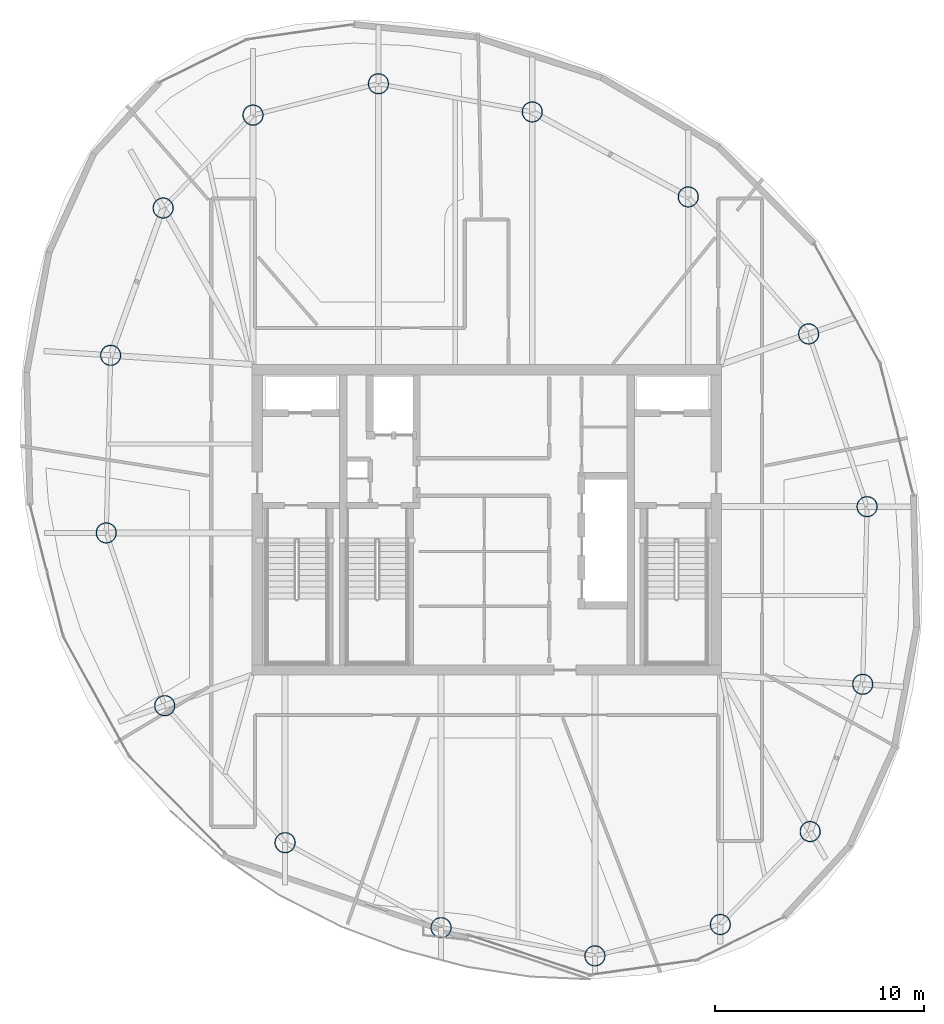
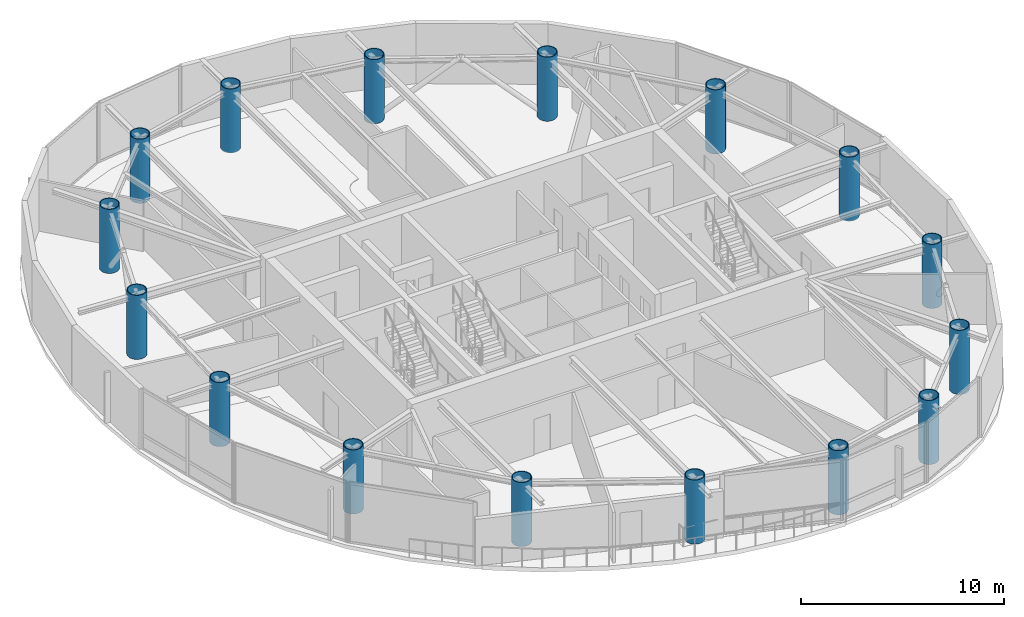
# One storey, part 1 of 20: 16 columns.
"""IFC4 building model written with IfcOpenShell, lengths in metres."""

import ifcopenshell
import ifcopenshell.guid

model = None  # the IFC model being written
_history = None  # IfcOwnerHistory: only IFC2X3 demands one
_inside = {}  # id of a spatial element -> (the spatial element, [elements in it])
_under = {}  # id of a project, library or spatial element -> (it, [spatial elements below it])
_declared = {}  # id of a project -> (the project, [libraries it declares])
_typed = {}  # id of a type object -> (the type object, [elements of that type])
_made_of = {}  # id of a material, layer set ... -> (it, [elements and type objects made of it])


def new_model(schema):
    """Start an empty IFC model of exactly this schema.

    Asked for "IFC4X3", IfcOpenShell would pick the latest addendum, in which some entities
    have other attributes; the version numbers below select the first issue.
    IFC2X3 requires an IfcOwnerHistory on every rooted entity: one is made here for all.
    """
    global model, _history
    if schema == "IFC4X3":
        model = ifcopenshell.file(schema_version=(4, 3, 0, 0))
    else:
        model = ifcopenshell.file(schema=schema)
    _inside.clear()
    _under.clear()
    _declared.clear()
    _typed.clear()
    _made_of.clear()
    _history = None
    if model.schema == "IFC2X3":
        org = make("IfcOrganization", Name="unknown")
        user = make(
            "IfcPersonAndOrganization",
            ThePerson=make("IfcPerson", FamilyName="unknown"),
            TheOrganization=org,
        )
        app = make(
            "IfcApplication",
            ApplicationDeveloper=org,
            Version="unknown",
            ApplicationFullName="unknown",
            ApplicationIdentifier="unknown",
        )
        _history = make(
            "IfcOwnerHistory",
            OwningUser=user,
            OwningApplication=app,
            ChangeAction="ADDED",
            CreationDate=0,
        )
    return model


def make(cls, **values):
    """One entity of the class cls with the attributes given. An attribute that is None is left unset."""
    return model.create_entity(
        cls, **{name: value for name, value in values.items() if value is not None}
    )


def rooted(cls, **values):
    """An entity with a GlobalId (a new one), such as an element, a storey or a relation."""
    return make(cls, GlobalId=ifcopenshell.guid.new(), OwnerHistory=_history, **values)


def si_unit(unit_type, name, prefix=None):
    """IfcSIUnit, for example si_unit("LENGTHUNIT", "METRE", prefix="MILLI")."""
    return make("IfcSIUnit", UnitType=unit_type, Prefix=prefix, Name=name)


def assignment(units):
    """IfcUnitAssignment: the units of a project."""
    return None if units is None else make("IfcUnitAssignment", Units=units)


def point(xyz):
    """IfcCartesianPoint."""
    return None if xyz is None else make("IfcCartesianPoint", Coordinates=xyz)


def direction(xyz):
    """IfcDirection."""
    return None if xyz is None else make("IfcDirection", DirectionRatios=xyz)


def frame(location, z_axis=None, x_axis=None):
    """IfcAxis2Placement3D, a coordinate frame: its origin and axes. An axis left out is left unset."""
    return make(
        "IfcAxis2Placement3D",
        Location=point(location),
        Axis=direction(z_axis),
        RefDirection=direction(x_axis),
    )


def frame_2d(location, x_axis=None):
    """IfcAxis2Placement2D, a coordinate frame in the plane: its origin and x axis."""
    return make(
        "IfcAxis2Placement2D", Location=point(location), RefDirection=direction(x_axis)
    )


def origin():
    """The frame at (0, 0, 0) with its axes left unset."""
    return frame((0.0, 0.0, 0.0))


def origin_2d():
    """The frame at (0, 0) in the plane with its x axis left unset."""
    return frame_2d((0.0, 0.0))


def place(relative_to, where):
    """IfcLocalPlacement: puts the frame where relative to a parent placement (None: the world)."""
    return make(
        "IfcLocalPlacement", PlacementRelTo=relative_to, RelativePlacement=where
    )


def context(
    kind, dimensions, precision=None, world=None, true_north=None, identifier=None
):
    """IfcGeometricRepresentationContext, for example the 3D "Model" context."""
    return make(
        "IfcGeometricRepresentationContext",
        ContextIdentifier=identifier,
        ContextType=kind,
        CoordinateSpaceDimension=dimensions,
        Precision=precision,
        WorldCoordinateSystem=world,
        TrueNorth=true_north,
    )


def subcontext(parent, identifier, kind, view, scale=None):
    """IfcGeometricRepresentationSubContext, for example "Body" below "Model"."""
    return make(
        "IfcGeometricRepresentationSubContext",
        ContextIdentifier=identifier,
        ContextType=kind,
        ParentContext=parent,
        TargetScale=scale,
        TargetView=view,
    )


def project(units=None, contexts=None):
    """IfcProject with its units and contexts."""
    return rooted(
        "IfcProject",
        Name="project",
        RepresentationContexts=contexts,
        UnitsInContext=assignment(units),
    )


def spatial(cls, under=None, at=None, **own):
    """A site, building, storey or space (cls), placed at a placement, below another one or the project."""
    s = rooted(cls, ObjectPlacement=at, **own)
    if under is not None:
        _under.setdefault(under.id(), (under, []))[1].append(s)
    return s


def profile(cls, at=None, kind="AREA", **sizes):
    """A parametric profile (cls). Its sizes go by their IFC names, for example OverallWidth=200.0."""
    return make(cls, ProfileType=kind, Position=at, **sizes)


def hollow_circle(**sizes):
    """IfcCircleHollowProfileDef."""
    return profile("IfcCircleHollowProfileDef", **sizes)


def extrude(swept, where, along, depth):
    """IfcExtrudedAreaSolid: the profile swept, set in the frame where, extruded along a direction by depth."""
    return make(
        "IfcExtrudedAreaSolid",
        SweptArea=swept,
        Position=where,
        ExtrudedDirection=direction(along),
        Depth=depth,
    )


def shape(context_of_items, identifier, shape_type, items):
    """IfcShapeRepresentation: the items that make up one representation, for example the "Body"."""
    return make(
        "IfcShapeRepresentation",
        ContextOfItems=context_of_items,
        RepresentationIdentifier=identifier,
        RepresentationType=shape_type,
        Items=items,
    )


def material(Name=None, Category=None):
    """IfcMaterial."""
    return make("IfcMaterial", Name=Name, Category=Category)


def material_profile(
    of_material, cross_section, Name=None, Category=None, Priority=None
):
    """IfcMaterialProfile: a cross section and its material."""
    return make(
        "IfcMaterialProfile",
        Name=Name,
        Material=of_material,
        Profile=cross_section,
        Priority=Priority,
        Category=Category,
    )


def profile_set(profiles, Name=None, composite=None):
    """IfcMaterialProfileSet."""
    return make(
        "IfcMaterialProfileSet",
        Name=Name,
        MaterialProfiles=profiles,
        CompositeProfile=composite,
    )


def made_of(thing, what):
    """Note that an element or type object is made of a material, layer set ...; save() writes the relation."""
    if what is not None:
        _made_of.setdefault(what.id(), (what, []))[1].append(thing)
    return thing


def type_object(cls, material=None, **own):
    """A type object (cls), such as IfcWallType, which elements share."""
    return made_of(rooted(cls, **own), material)


def element(
    cls,
    number,
    at=None,
    inside=None,
    cuts=None,
    type_object=None,
    material=None,
    context=None,
    identifier="Body",
    shape_type=None,
    held_by="IfcProductDefinitionShape",
    body=None,
    shapes=None,
    **own,
):
    """One element of the class cls, such as IfcWall. Its Tag is "e" and its number.

    at: its placement. inside: the storey or other place that contains it. cuts: it is an
    opening in that element (IfcRelVoidsElement). A single representation is given by context,
    identifier, shape_type and body (its items); several are given by shapes. held_by: the class
    of the entity that holds the representations. save() writes the other relations.
    """
    e = rooted(cls, Tag="e%d" % number, ObjectPlacement=at, **own)
    if body is not None:
        shapes = [shape(context, identifier, shape_type, body)]
    if shapes is not None:
        e.Representation = make(held_by, Representations=shapes)
    if inside is not None:
        _inside.setdefault(inside.id(), (inside, []))[1].append(e)
    if cuts is not None:
        rooted(
            "IfcRelVoidsElement", RelatingBuildingElement=cuts, RelatedOpeningElement=e
        )
    if type_object is not None:
        _typed.setdefault(type_object.id(), (type_object, []))[1].append(e)
    return made_of(e, material)


def aggregate(whole, parts):
    """IfcRelAggregates: a whole, such as a stair, and the parts it consists of."""
    return rooted("IfcRelAggregates", RelatingObject=whole, RelatedObjects=parts)


def save(model, path):
    """Write the relations noted so far, then the file.

    IfcRelAggregates (storeys below a building ...), IfcRelContainedInSpatialStructure (elements
    in a storey), IfcRelDefinesByType, IfcRelAssociatesMaterial and IfcRelDeclares: one each for
    every whole, place, type object, material and project.
    """
    for whole, parts in _under.values():
        aggregate(whole, parts)
    for where, things in _inside.values():
        rooted(
            "IfcRelContainedInSpatialStructure",
            RelatedElements=things,
            RelatingStructure=where,
        )
    for kind, things in _typed.values():
        rooted("IfcRelDefinesByType", RelatedObjects=things, RelatingType=kind)
    for what, things in _made_of.values():
        rooted("IfcRelAssociatesMaterial", RelatedObjects=things, RelatingMaterial=what)
    for by, libraries in _declared.values():
        rooted("IfcRelDeclares", RelatingContext=by, RelatedDefinitions=libraries)
    model.write(path)


model = new_model("IFC4")

# Units and contexts
model_context = context("Model", 3, precision=1e-05, world=origin(), true_north=direction((0.0, 1.0)))
body_context = subcontext(model_context, "Body", "Model", "MODEL_VIEW")
ifc_project = project(units=[si_unit("LENGTHUNIT", "METRE"), si_unit("AREAUNIT", "SQUARE_METRE"), si_unit("VOLUMEUNIT", "CUBIC_METRE"), si_unit("PLANEANGLEUNIT", "RADIAN"), si_unit("MASSUNIT", "GRAM", prefix="KILO")], contexts=[model_context])

# Site, building, storey
site_placement = place(None, origin())
site = spatial("IfcSite", under=ifc_project, at=site_placement, CompositionType="ELEMENT")
building_placement = place(site_placement, origin())
building = spatial("IfcBuilding", under=site, at=building_placement, Name="Bramvorn Convention Spire", CompositionType="ELEMENT")
storey_placement = place(building_placement, frame((0.0, 0.0, 245.89990234375)))
storey = spatial("IfcBuildingStorey", under=building, at=storey_placement, Name="L62", CompositionType="ELEMENT", Elevation=245.89990234375)

# Columns
ifc_material = material(Name="Steel CSA G40.21 Grade 350 (350W)", Category="steel")
ifc_material_profile = material_profile(ifc_material, hollow_circle(Radius=0.5, WallThickness=0.044921875, at=origin_2d()))
ifc_profile_set = profile_set([ifc_material_profile], Name="Steel CSA G40.21 Grade 350 (350W) - CFT1000X45")
column_type = type_object("IfcColumnType", Name="COL-CFT1000X45", PredefinedType="COLUMN", material=ifc_profile_set)
for number, where, z_axis, x_axis, name in (
    (1, (49.199951171875, 6.60107421875, 0.0), (0.0, 0.0, 1.0), (1.0, 0.0, 0.0), "L62 composite CFT mega-column MC01"),
    (2, (53.50634765625, 11.05615234375, 0.0), (0.0, 0.0, 1.0), (1.0, 0.0, 0.0), "L62 composite CFT mega-column MC02"),
    (3, (56.023681640625, 18.116455078125, 0.0), (0.0, 0.0, 1.0), (1.0, 0.0, 0.0), "L62 composite CFT mega-column MC03"),
    (4, (56.234619140625, 26.62939453125, 0.0), (0.0, 0.0, 1.0), (1.0, 0.0, 0.0), "L62 composite CFT mega-column MC04"),
    (5, (53.4326171875, 34.909912109375, 0.0), (0.0, 0.0, 1.0), (1.0, 0.0, 0.0), "L62 composite CFT mega-column MC05"),
    (6, (47.662353515625, 41.476806640625, 0.0), (0.0, 0.0, 1.0), (1.0, 0.0, 0.0), "L62 composite CFT mega-column MC06"),
    (7, (40.1845703125, 45.55078125, 0.0), (0.0, 0.0, 1.0), (1.0, 0.0, 0.0), "L62 composite CFT mega-column MC07"),
    (8, (32.8115234375, 46.90087890625, 0.0), (0.0, 0.0, 1.0), (1.0, 0.0, 0.0), "L62 composite CFT mega-column MC08"),
    (9, (26.800048828125, 45.39892578125, 0.0), (0.0, 0.0, 1.0), (1.0, 0.0, 0.0), "L62 composite CFT mega-column MC09"),
    (10, (22.49365234375, 40.94384765625, 0.0), (0.0, 0.0, 1.0), (1.0, 0.0, 0.0), "L62 composite CFT mega-column MC10"),
    (11, (19.976318359375, 33.883544921875, 0.0), (0.0, 0.0, 1.0), (1.0, 0.0, 0.0), "L62 composite CFT mega-column MC11"),
    (12, (19.765380859375, 25.37060546875, 0.0), (0.0, 0.0, 1.0), (1.0, 0.0, 0.0), "L62 composite CFT mega-column MC12"),
    (13, (22.5673828125, 17.090087890625, 0.0), (0.0, 0.0, 1.0), (1.0, 0.0, 0.0), "L62 composite CFT mega-column MC13"),
    (14, (28.337646484375, 10.523193359375, 0.0), (0.0, 0.0, 1.0), (1.0, 0.0, 0.0), "L62 composite CFT mega-column MC14"),
    (15, (35.8154296875, 6.44921875, 0.0), (0.0, 0.0, 1.0), (1.0, 0.0, 0.0), "L62 composite CFT mega-column MC15"),
    (16, (43.1884765625, 5.09912109375, 0.0), (0.0, 0.0, 1.0), (1.0, 0.0, 0.0), "L62 composite CFT mega-column MC16"),
):
    element("IfcColumn", number, at=place(storey_placement, frame(where, z_axis=z_axis, x_axis=x_axis)), inside=storey, type_object=column_type, Name=name, PredefinedType="COLUMN", context=body_context, shape_type="SweptSolid", body=[
        extrude(hollow_circle(Radius=0.5, WallThickness=0.044921875, at=origin_2d()), origin(), (0.0, 0.0, 1.0), 3.85009765625),
    ])

save(model, "model.ifc")
